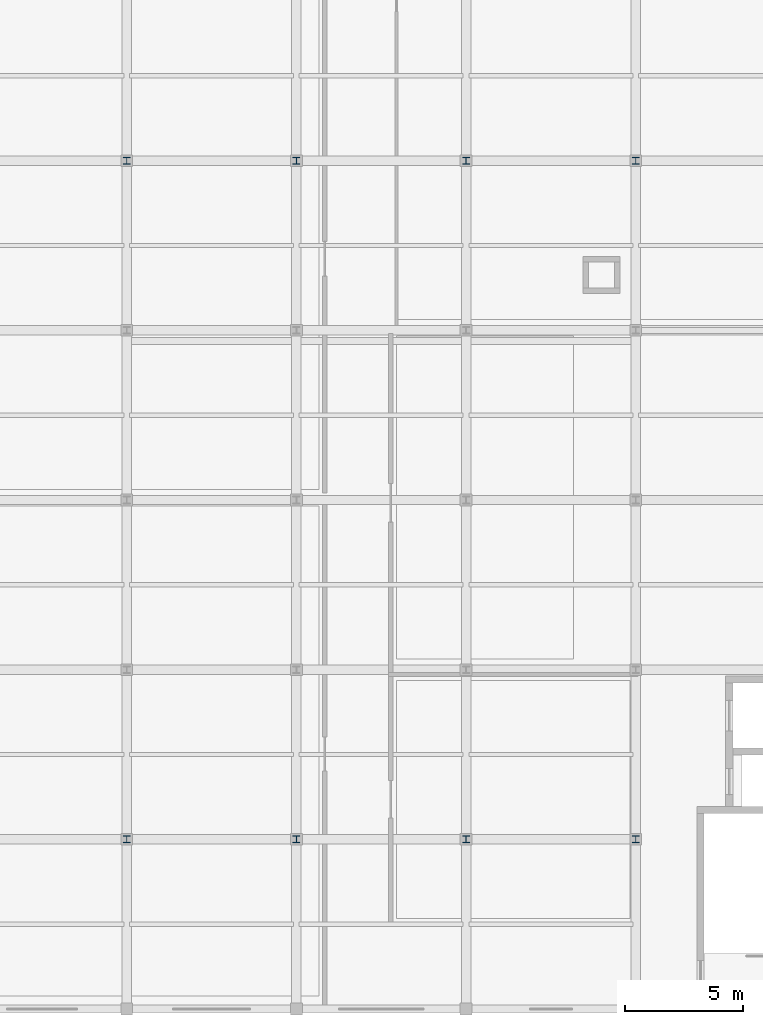
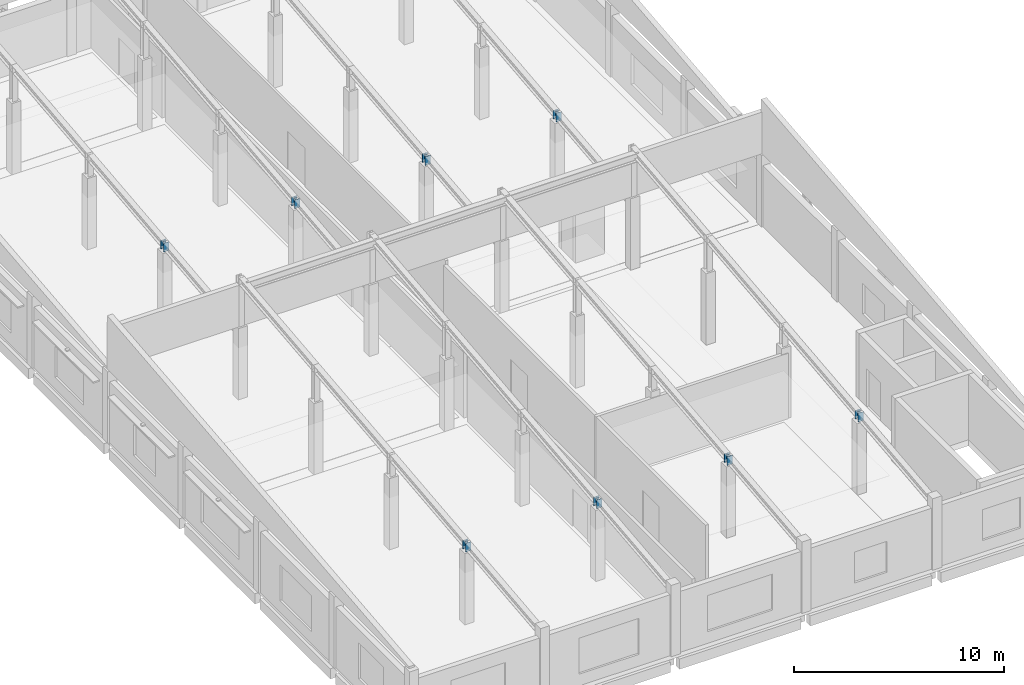
# One storey, part 6 of 33: 8 columns.
"""IFC4 building model written with IfcOpenShell, lengths in metres."""

from ifc_helpers import new_model, si_unit, direction, frame, origin, origin_2d, place, context, subcontext, project, spatial, i_section, extrude, material, material_profile, profile_set, type_object, element, save


model = new_model("IFC4")

# Units and contexts
model_context = context("Model", 3, precision=1e-05, world=origin(), true_north=direction((0.0, 1.0)))
body_context = subcontext(model_context, "Body", "Model", "MODEL_VIEW")
ifc_project = project(units=[si_unit("LENGTHUNIT", "METRE"), si_unit("AREAUNIT", "SQUARE_METRE"), si_unit("VOLUMEUNIT", "CUBIC_METRE"), si_unit("PLANEANGLEUNIT", "RADIAN"), si_unit("MASSUNIT", "GRAM", prefix="KILO")], contexts=[model_context])

# Site, building, storey
site_placement = place(None, origin())
site = spatial("IfcSite", under=ifc_project, at=site_placement, CompositionType="ELEMENT")
building_placement = place(site_placement, origin())
building = spatial("IfcBuilding", under=site, at=building_placement, Name="Valkovuoma Quantum and Materials Research Institute", CompositionType="ELEMENT")
storey_placement = place(building_placement, frame((0.0, 0.0, 25.60009765625)))
storey = spatial("IfcBuildingStorey", under=building, at=storey_placement, Name="L06", CompositionType="ELEMENT", Elevation=25.60009765625)

# Columns
ifc_material = material(Name="Steel S355J2", Category="steel")
ifc_material_profile = material_profile(ifc_material, i_section(OverallWidth=0.300048828125, OverallDepth=0.300048828125, WebThickness=0.010986328125, FlangeThickness=0.01904296875, FilletRadius=0.027099609375, at=origin_2d()), Name="Steel S355J2")
ifc_profile_set = profile_set([ifc_material_profile], Name="Steel S355J2")
column_type = type_object("IfcColumnType", Name="Col-C-STL300", PredefinedType="COLUMN", material=ifc_profile_set)
for number, where, z_axis, x_axis, name in (
    (1, (136.800048828125, 64.800048828125, 4.159912109375), (0.0, 0.0, 1.0), (1.0, 0.0, 0.0), "L06 wet-lab roof post 1.136.8.64.8"),
    (2, (144.0, 64.800048828125, 4.159912109375), (0.0, 0.0, 1.0), (1.0, 0.0, 0.0), "L06 wet-lab roof post 1.144.0.64.8"),
    (3, (151.199951171875, 64.800048828125, 4.159912109375), (0.0, 0.0, 1.0), (1.0, 0.0, 0.0), "L06 wet-lab roof post 1.151.2.64.8"),
    (4, (158.39990234375, 64.800048828125, 4.159912109375), (0.0, 0.0, 1.0), (1.0, 0.0, 0.0), "L06 wet-lab roof post 1.158.4.64.8"),
    (5, (136.800048828125, 93.60009765625, 4.159912109375), (0.0, 0.0, 1.0), (1.0, 0.0, 0.0), "L06 wet-lab roof post 2.136.8.93.6"),
    (6, (144.0, 93.60009765625, 4.159912109375), (0.0, 0.0, 1.0), (1.0, 0.0, 0.0), "L06 wet-lab roof post 2.144.0.93.6"),
    (7, (151.199951171875, 93.60009765625, 4.159912109375), (0.0, 0.0, 1.0), (1.0, 0.0, 0.0), "L06 wet-lab roof post 2.151.2.93.6"),
    (8, (158.39990234375, 93.60009765625, 4.159912109375), (0.0, 0.0, 1.0), (1.0, 0.0, 0.0), "L06 wet-lab roof post 2.158.4.93.6"),
):
    element("IfcColumn", number, at=place(storey_placement, frame(where, z_axis=z_axis, x_axis=x_axis)), inside=storey, type_object=column_type, Name=name, PredefinedType="COLUMN", context=body_context, shape_type="SweptSolid", body=[
        extrude(i_section(OverallWidth=0.300048828125, OverallDepth=0.300048828125, WebThickness=0.010986328125, FlangeThickness=0.01904296875, FilletRadius=0.027099609375, at=origin_2d()), origin(), (0.0, 0.0, 1.0), 0.5),
    ])

save(model, "model.ifc")
